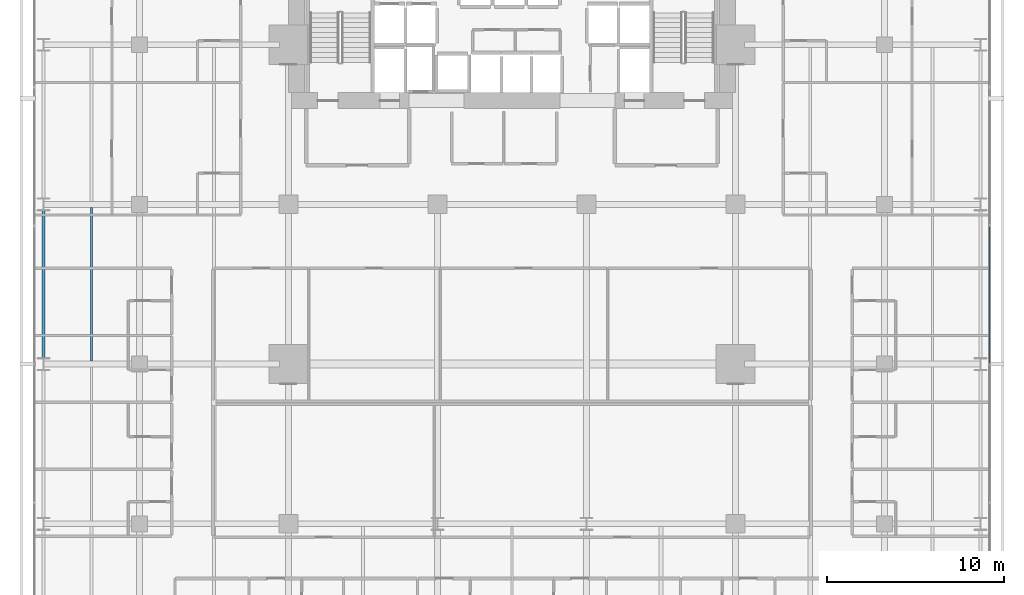
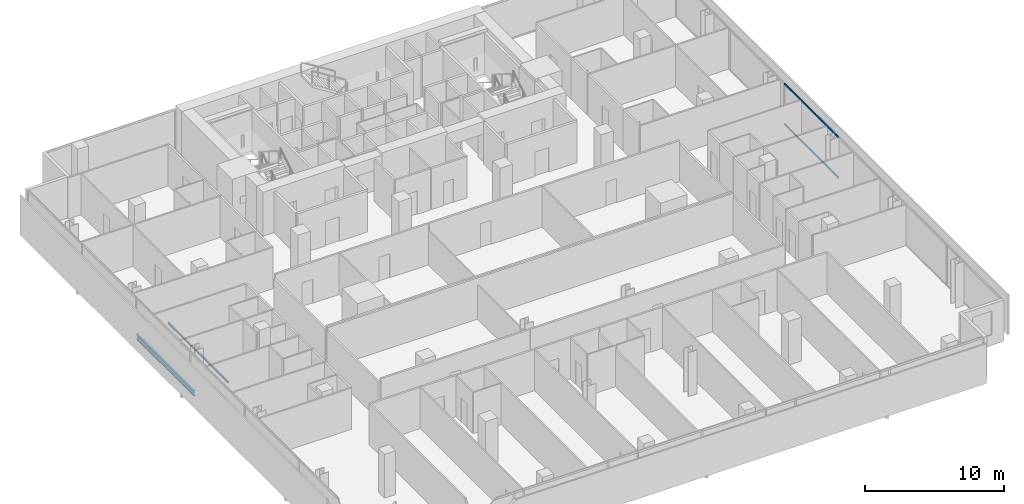
# One storey, part 20 of 40: 2 beams, 2 members, 1 element without a shape of its own.
"""IFC4 building model written with IfcOpenShell, lengths in metres."""

from ifc_helpers import new_model, si_unit, direction, frame, origin, origin_2d, place, context, subcontext, project, spatial, hollow_rectangle, i_section, extrude, material, layer, layer_set, material_profile, profile_set, type_object, element, aggregate, save


model = new_model("IFC4")

# Units and contexts
model_context = context("Model", 3, precision=1e-05, world=origin(), true_north=direction((0.0, 1.0)))
body_context = subcontext(model_context, "Body", "Model", "MODEL_VIEW")
ifc_project = project(units=[si_unit("LENGTHUNIT", "METRE"), si_unit("AREAUNIT", "SQUARE_METRE"), si_unit("VOLUMEUNIT", "CUBIC_METRE"), si_unit("PLANEANGLEUNIT", "RADIAN"), si_unit("MASSUNIT", "GRAM", prefix="KILO")], contexts=[model_context])

# Site, building, storey
site_placement = place(None, origin())
site = spatial("IfcSite", under=ifc_project, at=site_placement, CompositionType="ELEMENT")
building_placement = place(site_placement, origin())
building = spatial("IfcBuilding", under=site, at=building_placement, Name="Maruvema Waterfront Hotel and Observation Tower", CompositionType="ELEMENT")
storey_placement = place(building_placement, frame((0.0, 0.0, 107.800048828125)))
storey = spatial("IfcBuildingStorey", under=building, at=storey_placement, Name="L26", CompositionType="ELEMENT", Elevation=107.800048828125)

# Curtain wall, members
ifc_material_1 = material(Name="Anodised bronze aluminium and solar-control low-E IGU", Category="aluminium")
ifc_layer = layer(ifc_material_1, 0.159912109375, Name="Zone 1 Bronze Inner Thermal Curtain Wall System CW-02")
ifc_layer_set = layer_set([ifc_layer], Name="Anodised bronze aluminium and solar-control low-E IGU")
curtain_wall_type = type_object("IfcCurtainWallType", Name="Zone 1 Bronze Inner Thermal Curtain Wall System CW-02", PredefinedType="USERDEFINED", material=ifc_layer_set)
curtain_wall_placement = place(storey_placement, origin())
curtain_wall = element("IfcCurtainWall", 1, at=curtain_wall_placement, inside=storey, type_object=curtain_wall_type, Name="L26 Curtain Wall CW-L26-E", ObjectType="UNITISED CURTAIN WALL", PredefinedType="USERDEFINED")
ifc_material_2 = material(Name="Anodised architectural bronze aluminium", Category="aluminium")
ifc_material_profile_1 = material_profile(ifc_material_2, hollow_rectangle(XDim=0.070068359375, YDim=0.14990234375, WallThickness=0.00390625, at=origin_2d()), Name="ALU-T70x150")
ifc_profile_set_1 = profile_set([ifc_material_profile_1], Name="Anodised architectural bronze aluminium")
member_type = type_object("IfcMemberType", Name="Curtain Wall Horizontal Transom ALU-T70x150", PredefinedType="USERDEFINED", material=ifc_profile_set_1)
member_1_placement = place(storey_placement, frame((64.719970703125, 27.030029296875, 0.030029296875), z_axis=(0.0, 1.0, 0.0), x_axis=(-1.0, 0.0, 0.0)))
member_1 = element("IfcMember", 2, at=member_1_placement, type_object=member_type, Name="CW-02 transom 4.1", ObjectType="TRANSOM", PredefinedType="USERDEFINED", context=body_context, shape_type="SweptSolid", body=[
    extrude(hollow_rectangle(XDim=0.070068359375, YDim=0.14990234375, WallThickness=0.00390625, at=origin_2d()), origin(), (0.0, 0.0, 1.0), 7.739990234375),
])
member_2_placement = place(storey_placement, frame((64.719970703125, 27.030029296875, 3.579833984375), z_axis=(0.0, 1.0, 0.0), x_axis=(-1.0, 0.0, 0.0)))
member_2 = element("IfcMember", 3, at=member_2_placement, type_object=member_type, Name="CW-02 transom 4.2", ObjectType="TRANSOM", PredefinedType="USERDEFINED", context=body_context, shape_type="SweptSolid", body=[
    extrude(hollow_rectangle(XDim=0.070068359375, YDim=0.14990234375, WallThickness=0.00390625, at=origin_2d()), origin(), (0.0, 0.0, 1.0), 7.739990234375),
])
aggregate(curtain_wall, [member_1, member_2])

# Beams
ifc_material_3 = material(Name="Steel ASTM A572 Grade 50", Category="steel")
ifc_material_profile_2 = material_profile(ifc_material_3, i_section(OverallWidth=0.153076171875, OverallDepth=0.455078125, WebThickness=0.008056640625, FlangeThickness=0.01318359375, FilletRadius=0.014892578125, at=origin_2d()), Name="W460x60.0")
ifc_profile_set_2 = profile_set([ifc_material_profile_2], Name="Steel ASTM A572 Grade 50")
beam_type_1 = type_object("IfcBeamType", Name="Perimeter Spandrel Beam W460x60.0", PredefinedType="SPANDREL", material=ifc_profile_set_2)
beam_1_placement = place(storey_placement, frame((11.39990234375, 27.35009765625, -0.467529296875), z_axis=(0.0, 1.0, 0.0), x_axis=(-1.0, 0.0, 0.0)))
element("IfcBeam", 4, at=beam_1_placement, inside=storey, type_object=beam_type_1, Name="L26 Floor Girder NS-03", PredefinedType="SPANDREL", context=body_context, shape_type="SweptSolid", body=[
    extrude(i_section(OverallWidth=0.153076171875, OverallDepth=0.455078125, WebThickness=0.008056640625, FlangeThickness=0.01318359375, FilletRadius=0.014892578125, at=origin_2d()), origin(), (0.0, 0.0, 1.0), 8.2998046875),
])
ifc_material_4 = material(Name="Steel ASTM A572 Grade 50", Category="steel")
ifc_material_profile_3 = material_profile(ifc_material_4, i_section(OverallWidth=0.10009765625, OverallDepth=0.153076171875, WebThickness=0.005859375, FlangeThickness=0.007080078125, FilletRadius=0.008056640625, at=origin_2d()), Name="W150x18.0")
ifc_profile_set_3 = profile_set([ifc_material_profile_3], Name="Steel ASTM A572 Grade 50")
beam_type_2 = type_object("IfcBeamType", Name="Secondary Floor Joist W150x18.0", PredefinedType="JOIST", material=ifc_profile_set_3)
beam_2_placement = place(storey_placement, frame((14.10009765625, 27.162109375, -0.316650390625), z_axis=(0.0, 1.0, 0.0), x_axis=(-1.0, 0.0, 0.0)))
element("IfcBeam", 5, at=beam_2_placement, inside=storey, type_object=beam_type_2, Name="L26 Secondary Floor Joist JS-03", PredefinedType="JOIST", context=body_context, shape_type="SweptSolid", body=[
    extrude(i_section(OverallWidth=0.10009765625, OverallDepth=0.153076171875, WebThickness=0.005859375, FlangeThickness=0.007080078125, FilletRadius=0.008056640625, at=origin_2d()), origin(), (0.0, 0.0, 1.0), 8.67578125),
])

save(model, "model.ifc")
